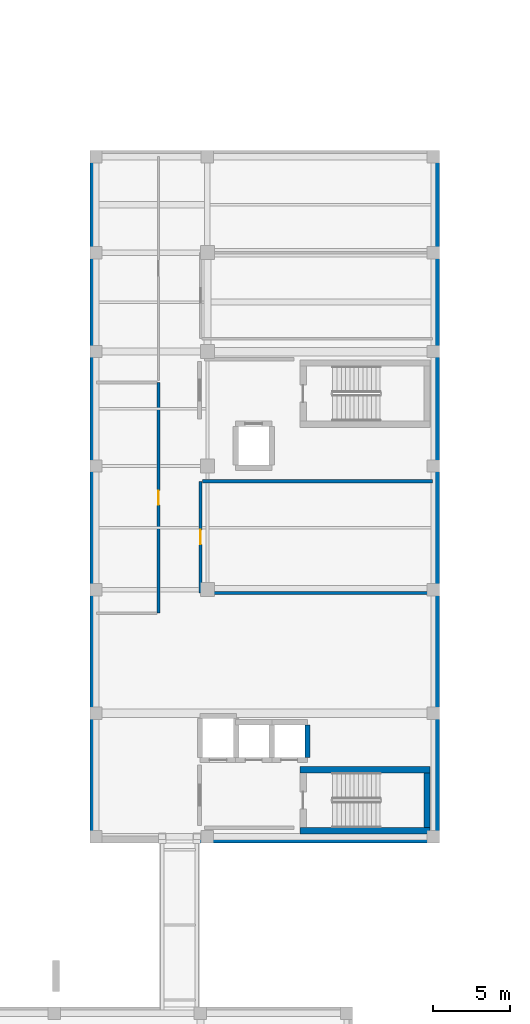
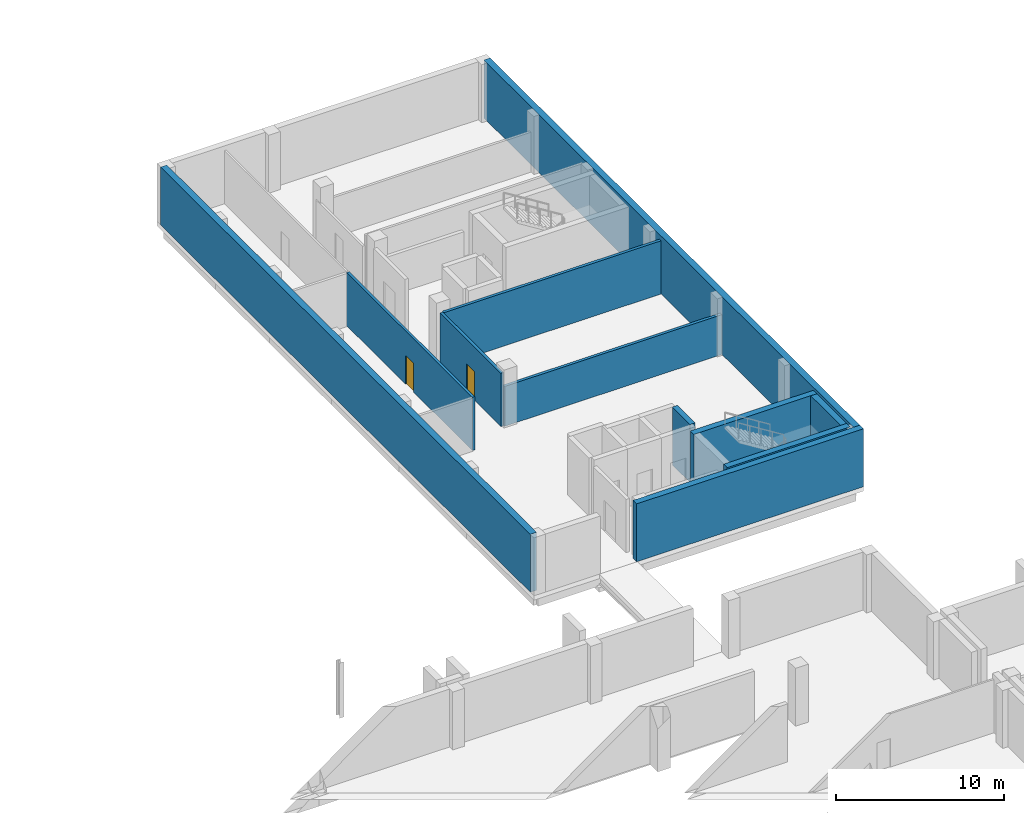
# One storey, part 19 of 31: 11 walls, 2 doors, 2 openings.
"""IFC4 building model written with IfcOpenShell, lengths in metres."""

from ifc_helpers import new_model, si_unit, direction, frame, frame_2d, origin, place, context, subcontext, project, spatial, rectangle, extrude, material, layer, layer_set, type_object, element, fill, save


model = new_model("IFC4")

# Units and contexts
model_context = context("Model", 3, precision=1e-05, world=origin(), true_north=direction((0.0, 1.0)))
body_context = subcontext(model_context, "Body", "Model", "MODEL_VIEW")
ifc_project = project(units=[si_unit("LENGTHUNIT", "METRE"), si_unit("AREAUNIT", "SQUARE_METRE"), si_unit("VOLUMEUNIT", "CUBIC_METRE"), si_unit("PLANEANGLEUNIT", "RADIAN"), si_unit("MASSUNIT", "GRAM", prefix="KILO")], contexts=[model_context])

# Site, building, storey
site_placement = place(None, origin())
site = spatial("IfcSite", under=ifc_project, at=site_placement, CompositionType="ELEMENT")
building_placement = place(site_placement, origin())
building = spatial("IfcBuilding", under=site, at=building_placement, Name="Qalavern Law Courts", CompositionType="ELEMENT")
storey_placement = place(building_placement, frame((0.0, 0.0, -4.199951171875)))
storey = spatial("IfcBuildingStorey", under=building, at=storey_placement, Name="B1", CompositionType="ELEMENT", Elevation=-4.199951171875)

# Walls
ifc_material_1 = material(Name="Concrete C35/45", Category="concrete")
ifc_layer_1 = layer(ifc_material_1, 0.429931640625)
ifc_layer_set_1 = layer_set([ifc_layer_1], Name="Concrete C35/45")
wall_type_1 = type_object("IfcWallType", Name="ENV-EW-RET430", PredefinedType="SOLIDWALL", material=ifc_layer_set_1)
wall_1_placement = place(storey_placement, frame((91.25, 41.235107421875, 0.0), z_axis=(0.0, 0.0, 1.0), x_axis=(1.0, 0.0, 0.0)))
element("IfcWall", 1, at=wall_1_placement, inside=storey, type_object=wall_type_1, Name="V4 basement retaining wall B1 south", PredefinedType="SOLIDWALL", context=body_context, shape_type="SweptSolid", body=[
    extrude(rectangle(XDim=15.550048828125, YDim=0.429931640625, at=frame_2d((7.77490234375, 0.0))), origin(), (0.0, 0.0, 1.0), 4.199951171875),
])
for number, where, z_axis, x_axis, name in (
    (2, (106.5849609375, 41.445068359375, 0.0), (0.0, 0.0, 1.0), (0.0, 1.0, 0.0), "V4 basement retaining wall B1 east"),
    (3, (84.4150390625, 85.375, 0.0), (0.0, 0.0, 1.0), (0.0, -1.0, 0.0), "V4 basement retaining wall B1 west"),
):
    element("IfcWall", number, at=place(storey_placement, frame(where, z_axis=z_axis, x_axis=x_axis)), inside=storey, type_object=wall_type_1, Name=name, PredefinedType="SOLIDWALL", context=body_context, shape_type="SweptSolid", body=[
        extrude(rectangle(XDim=43.929931640625, YDim=0.429931640625, at=frame_2d((21.96484375, 0.0))), origin(), (0.0, 0.0, 1.0), 4.199951171875),
    ])
ifc_material_2 = material(Name="Concrete C45/55", Category="concrete")
ifc_layer_2 = layer(ifc_material_2, 0.4150390625)
ifc_layer_set_2 = layer_set([ifc_layer_2], Name="Concrete C45/55")
wall_type_2 = type_object("IfcWallType", Name="INT-CW-415", PredefinedType="SHEAR", material=ifc_layer_set_2)
wall_2_placement = place(storey_placement, frame((97.784912109375, 41.79248046875, 0.0), z_axis=(0.0, 0.0, 1.0), x_axis=(1.0, 0.0, 0.0)))
element("IfcWall", 4, at=wall_2_placement, inside=storey, type_object=wall_type_2, Name="Core K1A stair shear wall B1 south", PredefinedType="SHEAR", context=body_context, shape_type="SweptSolid", body=[
    extrude(rectangle(XDim=8.43017578125, YDim=0.4150390625, at=frame_2d((4.215087890625, 0.0))), origin(), (0.0, 0.0, 1.0), 4.199951171875),
])
wall_3_placement = place(storey_placement, frame((106.007568359375, 42.0, 0.0), z_axis=(0.0, 0.0, 1.0), x_axis=(0.0, 1.0, 0.0)))
element("IfcWall", 5, at=wall_3_placement, inside=storey, type_object=wall_type_2, Name="Core K1A stair shear wall B1 east", PredefinedType="SHEAR", context=body_context, shape_type="SweptSolid", body=[
    extrude(rectangle(XDim=3.550048828125, YDim=0.4150390625, at=frame_2d((1.77490234375, 0.0))), origin(), (0.0, 0.0, 1.0), 4.199951171875),
])
wall_4_placement = place(storey_placement, frame((106.215087890625, 45.757568359375, 0.0), z_axis=(0.0, 0.0, 1.0), x_axis=(-1.0, 0.0, 0.0)))
element("IfcWall", 6, at=wall_4_placement, inside=storey, type_object=wall_type_2, Name="Core K1A stair shear wall B1 north", PredefinedType="SHEAR", context=body_context, shape_type="SweptSolid", body=[
    extrude(rectangle(XDim=8.43017578125, YDim=0.4150390625, at=frame_2d((4.215087890625, 0.0))), origin(), (0.0, 0.0, 1.0), 4.199951171875),
])

# Wall, opening, door
ifc_material_3 = material(Name="Gypsum acoustic stud partition")
ifc_layer_3 = layer(ifc_material_3, 0.174072265625)
ifc_layer_set_3 = layer_set([ifc_layer_3], Name="Gypsum acoustic stud partition")
wall_type_3 = type_object("IfcWallType", Name="INT-PW-174", PredefinedType="PARTITIONING", material=ifc_layer_set_3)
wall_5_placement = place(storey_placement, frame((88.639892578125, 55.8779296875, 0.0), z_axis=(0.0, 0.0, 1.0), x_axis=(0.0, 1.0, 0.0)))
wall_5 = element("IfcWall", 7, at=wall_5_placement, inside=storey, type_object=wall_type_3, Name="Commercial Registry Archives corridor partition B1", PredefinedType="PARTITIONING", context=body_context, shape_type="SweptSolid", body=[
    extrude(rectangle(XDim=14.926025390625, YDim=0.174072265625, at=frame_2d((7.462890625, 0.0))), origin(), (0.0, 0.0, 1.0), 3.85986328125),
])
opening_1_placement = place(wall_5_placement, frame((6.998046875, 0.0, 0.0)))
opening_1 = element("IfcOpeningElement", 8, at=opening_1_placement, cuts=wall_5, Name="Opening B1-D246", PredefinedType="OPENING", context=body_context, shape_type="SweptSolid", body=[
    extrude(rectangle(XDim=0.929931640625, YDim=2.080078125, at=frame_2d((0.46484375, 1.0400390625))), frame((0.0, 0.10205078125, 0.0), z_axis=(0.0, -1.0, 0.0), x_axis=(1.0, 0.0, 0.0)), (0.0, 0.0, 1.0), 0.203857421875),
])
ifc_material_4 = material(Name="Steel Legal Archive Vault door", Category="steel")
door_type = type_object("IfcDoorType", Name="INT-ID-930x2080", OperationType="NOTDEFINED", PredefinedType="DOOR", material=ifc_material_4)
door_1_placement = place(opening_1_placement, frame((0.929931640625, 0.0, 0.0), z_axis=(0.0, 0.0, 1.0), x_axis=(-1.0, 0.0, 0.0)))
door_1 = element("IfcDoor", 9, at=door_1_placement, inside=storey, type_object=door_type, Name="Commercial Registry Archives door B1", OperationType="SINGLE_SWING_LEFT", OverallHeight=2.080078125, OverallWidth=0.929931640625, PredefinedType="DOOR", context=body_context, shape_type="SweptSolid", body=[
    extrude(rectangle(XDim=0.929931640625, YDim=2.080078125, at=frame_2d((0.46484375, 1.0400390625))), frame((0.0, 0.02490234375, 0.0), z_axis=(0.0, -1.0, 0.0), x_axis=(1.0, 0.0, 0.0)), (0.0, 0.0, 1.0), 0.050048828125),
])
fill(opening_1, door_1)

ifc_material_5 = material(Name="Gypsum acoustic double-stud partition")
ifc_layer_4 = layer(ifc_material_5, 0.197998046875)
ifc_layer_set_4 = layer_set([ifc_layer_4], Name="Gypsum acoustic double-stud partition")
wall_type_4 = type_object("IfcWallType", Name="INT-PW-198", PredefinedType="PARTITIONING", material=ifc_layer_set_4)
wall_6_placement = place(storey_placement, frame((91.360107421875, 57.18505859375, 0.0), z_axis=(0.0, 0.0, 1.0), x_axis=(0.0, 1.0, 0.0)))
wall_6 = element("IfcWall", 10, at=wall_6_placement, inside=storey, type_object=wall_type_4, Name="Commercial Registry Archives corridor partition B1", PredefinedType="PARTITIONING", context=body_context, shape_type="SweptSolid", body=[
    extrude(rectangle(XDim=7.224853515625, YDim=0.197998046875, at=frame_2d((3.6123046875, 0.0))), origin(), (0.0, 0.0, 1.0), 3.85986328125),
])
opening_2_placement = place(wall_6_placement, frame((3.1474609375, 0.0, 0.0)))
opening_2 = element("IfcOpeningElement", 11, at=opening_2_placement, cuts=wall_6, Name="Opening B1-D248", PredefinedType="OPENING", context=body_context, shape_type="SweptSolid", body=[
    extrude(rectangle(XDim=0.929931640625, YDim=2.080078125, at=frame_2d((0.46484375, 1.0400390625))), frame((0.0, 0.11376953125, 0.0), z_axis=(0.0, -1.0, 0.0), x_axis=(1.0, 0.0, 0.0)), (0.0, 0.0, 1.0), 0.227783203125),
])
door_2_placement = place(opening_2_placement, origin())
door_2 = element("IfcDoor", 12, at=door_2_placement, inside=storey, type_object=door_type, Name="Commercial Registry Archives door B1", OperationType="SINGLE_SWING_LEFT", OverallHeight=2.080078125, OverallWidth=0.929931640625, PredefinedType="DOOR", context=body_context, shape_type="SweptSolid", body=[
    extrude(rectangle(XDim=0.929931640625, YDim=2.080078125, at=frame_2d((0.46484375, 1.0400390625))), frame((0.0, 0.02490234375, 0.0), z_axis=(0.0, -1.0, 0.0), x_axis=(1.0, 0.0, 0.0)), (0.0, 0.0, 1.0), 0.050048828125),
])
fill(opening_2, door_2)

# Walls
wall_7_placement = place(storey_placement, frame((91.47900390625, 57.18505859375, 0.0), z_axis=(0.0, 0.0, 1.0), x_axis=(1.0, 0.0, 0.0)))
element("IfcWall", 13, at=wall_7_placement, inside=storey, type_object=wall_type_4, Name="Commercial Registry Archives cross partition B1 south", PredefinedType="PARTITIONING", context=body_context, shape_type="SweptSolid", body=[
    extrude(rectangle(XDim=14.881103515625, YDim=0.197998046875, at=frame_2d((7.4404296875, 0.0))), origin(), (0.0, 0.0, 1.0), 2.889892578125),
])
wall_8_placement = place(storey_placement, frame((91.47900390625, 64.409912109375, 0.0), z_axis=(0.0, 0.0, 1.0), x_axis=(1.0, 0.0, 0.0)))
element("IfcWall", 14, at=wall_8_placement, inside=storey, type_object=wall_type_4, Name="Commercial Registry Archives cross partition B1 north", PredefinedType="PARTITIONING", context=body_context, shape_type="SweptSolid", body=[
    extrude(rectangle(XDim=14.881103515625, YDim=0.197998046875, at=frame_2d((7.4404296875, 0.0))), origin(), (0.0, 0.0, 1.0), 3.85986328125),
])
ifc_layer_5 = layer(ifc_material_2, 0.344970703125)
ifc_layer_set_5 = layer_set([ifc_layer_5], Name="Concrete C45/55")
wall_type_5 = type_object("IfcWallType", Name="INT-SW-345", PredefinedType="SHEAR", material=ifc_layer_set_5)
wall_9_placement = place(storey_placement, frame((98.2724609375, 46.550048828125, 0.0), z_axis=(0.0, 0.0, 1.0), x_axis=(0.0, 1.0, 0.0)))
element("IfcWall", 15, at=wall_9_placement, inside=storey, type_object=wall_type_5, Name="Lift LF-P2 shaft wall B1 east", PredefinedType="SHEAR", context=body_context, shape_type="SweptSolid", body=[
    extrude(rectangle(XDim=2.099853515625, YDim=0.344970703125, at=frame_2d((1.0498046875, 0.0))), origin(), (0.0, 0.0, 1.0), 4.199951171875),
])

save(model, "model.ifc")
